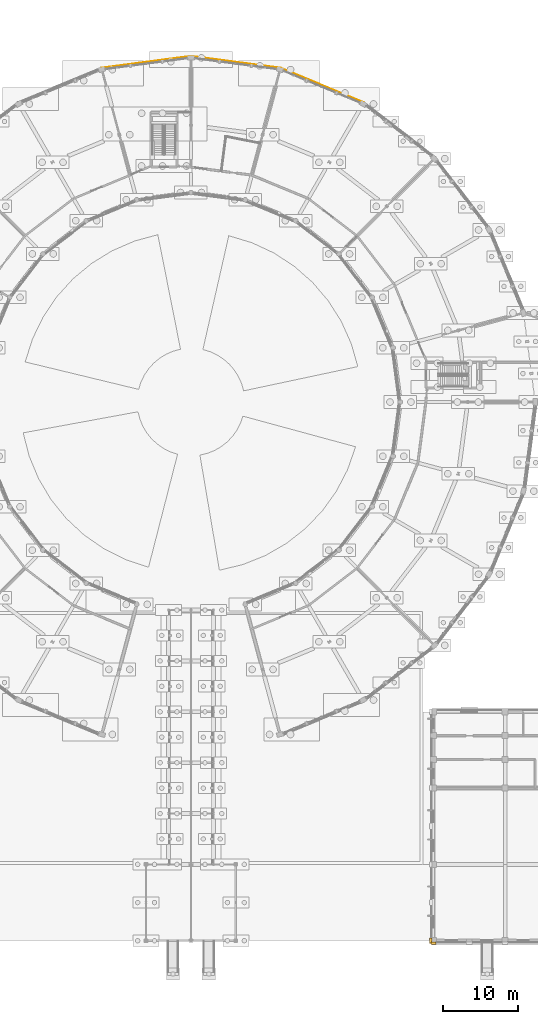
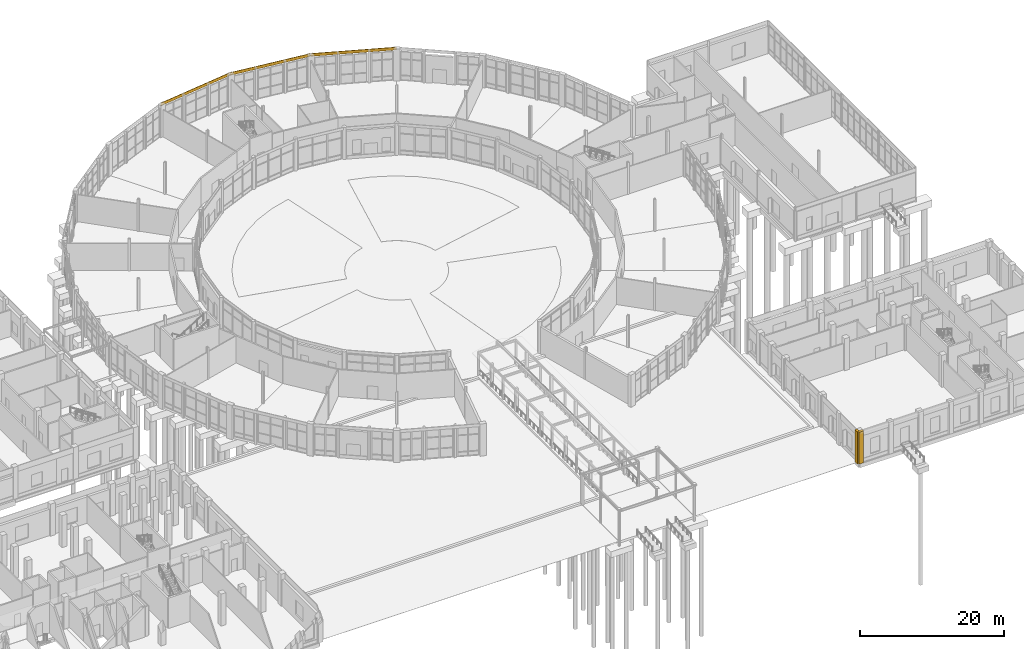
# One storey, part 131 of 137: 5 coverings.
"""IFC4 building model written with IfcOpenShell, lengths in metres."""

from ifc_helpers import new_model, si_unit, direction, frame, origin, origin_2d, place, context, subcontext, project, spatial, rectangle, extrude, material, layer, layer_set, type_object, element, save


model = new_model("IFC4")

# Units and contexts
model_context = context("Model", 3, precision=1e-05, world=origin(), true_north=direction((0.0, 1.0)))
body_context = subcontext(model_context, "Body", "Model", "MODEL_VIEW")
ifc_project = project(units=[si_unit("LENGTHUNIT", "METRE"), si_unit("AREAUNIT", "SQUARE_METRE"), si_unit("VOLUMEUNIT", "CUBIC_METRE"), si_unit("PLANEANGLEUNIT", "RADIAN"), si_unit("MASSUNIT", "GRAM", prefix="KILO")], contexts=[model_context])

# Site, building, storey
site_placement = place(None, origin())
site = spatial("IfcSite", under=ifc_project, at=site_placement, CompositionType="ELEMENT")
building_placement = place(site_placement, origin())
building = spatial("IfcBuilding", under=site, at=building_placement, Name="Vondelvale Polytechnic", CompositionType="ELEMENT")
storey_placement = place(building_placement, origin())
storey = spatial("IfcBuildingStorey", under=building, at=storey_placement, Name="L00", CompositionType="ELEMENT", Elevation=0.0)

# Coverings
ifc_material_1 = material(Name="Malmsbury bluestone ashlar stone masonry", Category="masonry")
ifc_layer_1 = layer(ifc_material_1, 0.080078125)
ifc_layer_set_1 = layer_set([ifc_layer_1], Name="COV-BLUESTONE-PLINTH")
covering_type_1 = type_object("IfcCoveringType", Name="COV-BLUESTONE-PLINTH", PredefinedType="CLADDING", material=ifc_layer_set_1)
covering_1_placement = place(storey_placement, frame((134.39990234375, -0.340087890625, 0.0), z_axis=(0.0, 0.0, 1.0), x_axis=(1.0, 0.0, 0.0)))
element("IfcCovering", 1, at=covering_1_placement, inside=storey, type_object=covering_type_1, Name="L00 Lecture wing giant-order pilaster S", PredefinedType="CLADDING", context=body_context, shape_type="SweptSolid", body=[
    extrude(rectangle(XDim=0.679931640625, YDim=0.360107421875, at=origin_2d()), origin(), (0.0, 0.0, 1.0), 5.39990234375),
])
covering_2_placement = place(storey_placement, frame((134.06005859375, 0.0, 0.0), z_axis=(0.0, 0.0, 1.0), x_axis=(1.0, 0.0, 0.0)))
element("IfcCovering", 2, at=covering_2_placement, inside=storey, type_object=covering_type_1, Name="L00 Lecture wing giant-order pilaster W", PredefinedType="CLADDING", context=body_context, shape_type="SweptSolid", body=[
    extrude(rectangle(XDim=0.360107421875, YDim=0.679931640625, at=origin_2d()), origin(), (0.0, 0.0, 1.0), 5.39990234375),
])
ifc_material_2 = material(Name="Engineered Tasmanian oak studio and bridge joinery")
ifc_layer_2 = layer(ifc_material_2, 0.06494140625)
ifc_layer_set_2 = layer_set([ifc_layer_2], Name="COV-OAK-SPANDREL")
covering_type_2 = type_object("IfcCoveringType", Name="COV-OAK-SPANDREL", PredefinedType="CLADDING", material=ifc_layer_set_2)
for number, where, z_axis, x_axis, name in (
    (3, (119.533447265625, 114.32958984375, 4.919921875), (0.0, 0.0, 1.0), (-0.923879532511, 0.382683432365, 0.0), "L00 exterior masonry spandrel band"),
    (4, (107.980224609375, 117.42529296875, 4.919921875), (0.0, 0.0, 1.0), (-0.991444861374, 0.13052619222, 0.0), "L00 exterior masonry spandrel band"),
    (5, (96.019775390625, 117.42529296875, 4.919921875), (0.0, 0.0, 1.0), (-0.991444861374, -0.13052619222, 0.0), "L00 exterior masonry spandrel band"),
):
    element("IfcCovering", number, at=place(storey_placement, frame(where, z_axis=z_axis, x_axis=x_axis)), inside=storey, type_object=covering_type_2, Name=name, PredefinedType="CLADDING", context=body_context, shape_type="SweptSolid", body=[
        extrude(rectangle(XDim=12.00830078125, YDim=0.06494140625, at=origin_2d()), origin(), (0.0, 0.0, 1.0), 0.47998046875),
    ])

save(model, "model.ifc")
